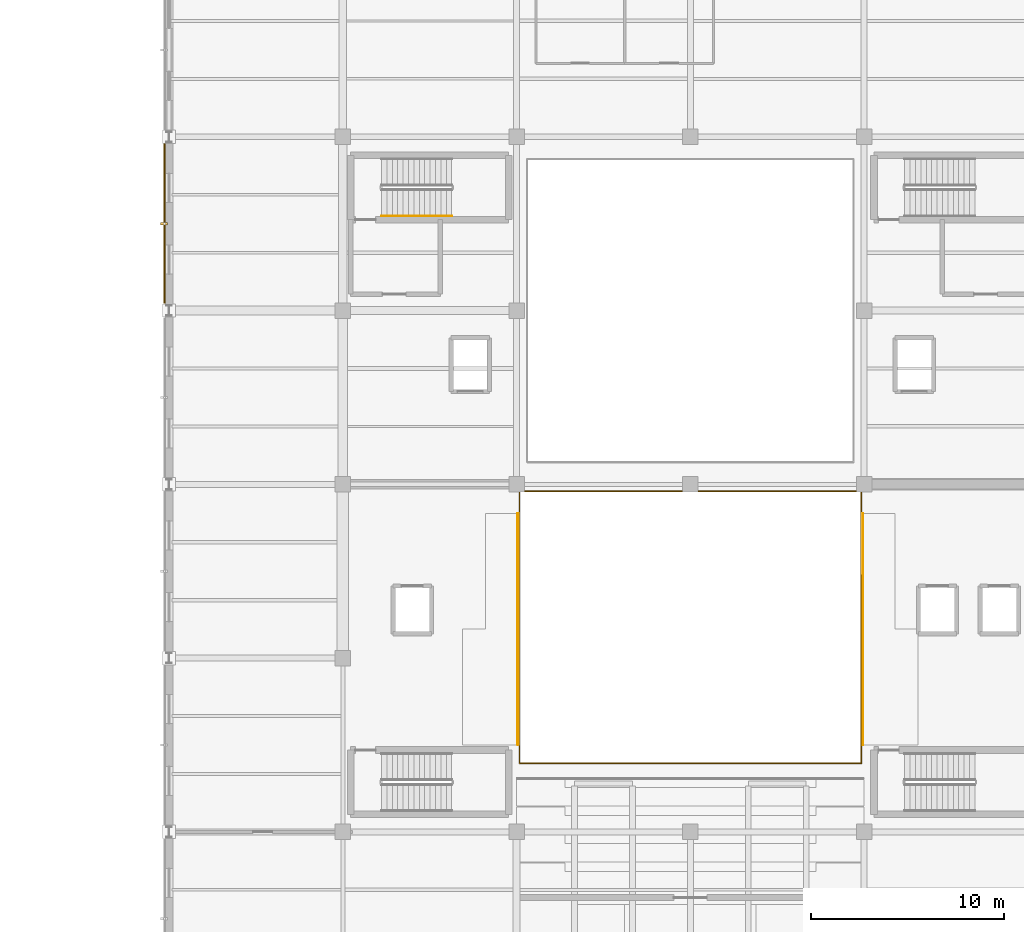
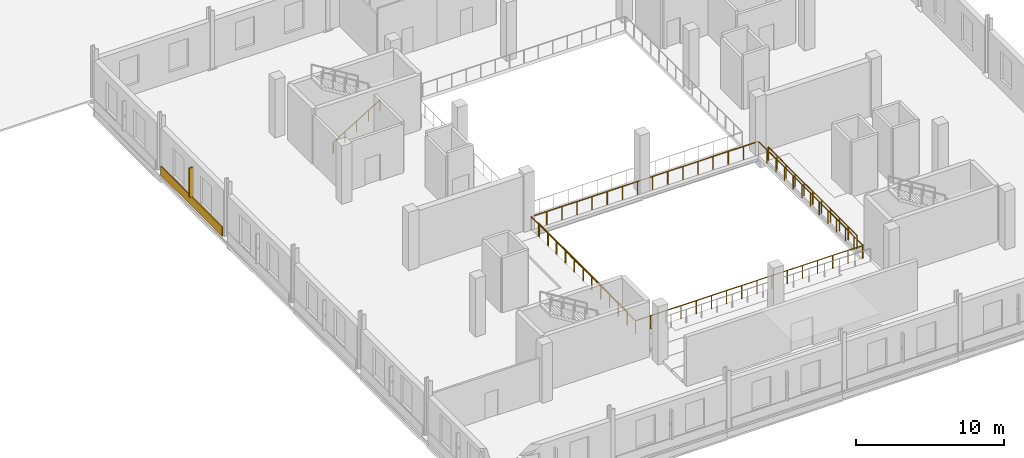
# One storey, part 31 of 35: 5 railings, 1 covering, 1 shading device.
"""IFC4 building model written with IfcOpenShell, lengths in metres."""

import ifcopenshell
import ifcopenshell.guid

model = None  # the IFC model being written
_history = None  # IfcOwnerHistory: only IFC2X3 demands one
_inside = {}  # id of a spatial element -> (the spatial element, [elements in it])
_under = {}  # id of a project, library or spatial element -> (it, [spatial elements below it])
_declared = {}  # id of a project -> (the project, [libraries it declares])
_typed = {}  # id of a type object -> (the type object, [elements of that type])
_made_of = {}  # id of a material, layer set ... -> (it, [elements and type objects made of it])


def new_model(schema):
    """Start an empty IFC model of exactly this schema.

    Asked for "IFC4X3", IfcOpenShell would pick the latest addendum, in which some entities
    have other attributes; the version numbers below select the first issue.
    IFC2X3 requires an IfcOwnerHistory on every rooted entity: one is made here for all.
    """
    global model, _history
    if schema == "IFC4X3":
        model = ifcopenshell.file(schema_version=(4, 3, 0, 0))
    else:
        model = ifcopenshell.file(schema=schema)
    _inside.clear()
    _under.clear()
    _declared.clear()
    _typed.clear()
    _made_of.clear()
    _history = None
    if model.schema == "IFC2X3":
        org = make("IfcOrganization", Name="unknown")
        user = make(
            "IfcPersonAndOrganization",
            ThePerson=make("IfcPerson", FamilyName="unknown"),
            TheOrganization=org,
        )
        app = make(
            "IfcApplication",
            ApplicationDeveloper=org,
            Version="unknown",
            ApplicationFullName="unknown",
            ApplicationIdentifier="unknown",
        )
        _history = make(
            "IfcOwnerHistory",
            OwningUser=user,
            OwningApplication=app,
            ChangeAction="ADDED",
            CreationDate=0,
        )
    return model


def make(cls, **values):
    """One entity of the class cls with the attributes given. An attribute that is None is left unset."""
    return model.create_entity(
        cls, **{name: value for name, value in values.items() if value is not None}
    )


def rooted(cls, **values):
    """An entity with a GlobalId (a new one), such as an element, a storey or a relation."""
    return make(cls, GlobalId=ifcopenshell.guid.new(), OwnerHistory=_history, **values)


def si_unit(unit_type, name, prefix=None):
    """IfcSIUnit, for example si_unit("LENGTHUNIT", "METRE", prefix="MILLI")."""
    return make("IfcSIUnit", UnitType=unit_type, Prefix=prefix, Name=name)


def assignment(units):
    """IfcUnitAssignment: the units of a project."""
    return None if units is None else make("IfcUnitAssignment", Units=units)


def point(xyz):
    """IfcCartesianPoint."""
    return None if xyz is None else make("IfcCartesianPoint", Coordinates=xyz)


def direction(xyz):
    """IfcDirection."""
    return None if xyz is None else make("IfcDirection", DirectionRatios=xyz)


def frame(location, z_axis=None, x_axis=None):
    """IfcAxis2Placement3D, a coordinate frame: its origin and axes. An axis left out is left unset."""
    return make(
        "IfcAxis2Placement3D",
        Location=point(location),
        Axis=direction(z_axis),
        RefDirection=direction(x_axis),
    )


def frame_2d(location, x_axis=None):
    """IfcAxis2Placement2D, a coordinate frame in the plane: its origin and x axis."""
    return make(
        "IfcAxis2Placement2D", Location=point(location), RefDirection=direction(x_axis)
    )


def origin():
    """The frame at (0, 0, 0) with its axes left unset."""
    return frame((0.0, 0.0, 0.0))


def origin_2d():
    """The frame at (0, 0) in the plane with its x axis left unset."""
    return frame_2d((0.0, 0.0))


def place(relative_to, where):
    """IfcLocalPlacement: puts the frame where relative to a parent placement (None: the world)."""
    return make(
        "IfcLocalPlacement", PlacementRelTo=relative_to, RelativePlacement=where
    )


def context(
    kind, dimensions, precision=None, world=None, true_north=None, identifier=None
):
    """IfcGeometricRepresentationContext, for example the 3D "Model" context."""
    return make(
        "IfcGeometricRepresentationContext",
        ContextIdentifier=identifier,
        ContextType=kind,
        CoordinateSpaceDimension=dimensions,
        Precision=precision,
        WorldCoordinateSystem=world,
        TrueNorth=true_north,
    )


def subcontext(parent, identifier, kind, view, scale=None):
    """IfcGeometricRepresentationSubContext, for example "Body" below "Model"."""
    return make(
        "IfcGeometricRepresentationSubContext",
        ContextIdentifier=identifier,
        ContextType=kind,
        ParentContext=parent,
        TargetScale=scale,
        TargetView=view,
    )


def project(units=None, contexts=None):
    """IfcProject with its units and contexts."""
    return rooted(
        "IfcProject",
        Name="project",
        RepresentationContexts=contexts,
        UnitsInContext=assignment(units),
    )


def spatial(cls, under=None, at=None, **own):
    """A site, building, storey or space (cls), placed at a placement, below another one or the project."""
    s = rooted(cls, ObjectPlacement=at, **own)
    if under is not None:
        _under.setdefault(under.id(), (under, []))[1].append(s)
    return s


def profile(cls, at=None, kind="AREA", **sizes):
    """A parametric profile (cls). Its sizes go by their IFC names, for example OverallWidth=200.0."""
    return make(cls, ProfileType=kind, Position=at, **sizes)


def rectangle(**sizes):
    """IfcRectangleProfileDef."""
    return profile("IfcRectangleProfileDef", **sizes)


def circle(**sizes):
    """IfcCircleProfileDef."""
    return profile("IfcCircleProfileDef", **sizes)


def extrude(swept, where, along, depth):
    """IfcExtrudedAreaSolid: the profile swept, set in the frame where, extruded along a direction by depth."""
    return make(
        "IfcExtrudedAreaSolid",
        SweptArea=swept,
        Position=where,
        ExtrudedDirection=direction(along),
        Depth=depth,
    )


def shape(context_of_items, identifier, shape_type, items):
    """IfcShapeRepresentation: the items that make up one representation, for example the "Body"."""
    return make(
        "IfcShapeRepresentation",
        ContextOfItems=context_of_items,
        RepresentationIdentifier=identifier,
        RepresentationType=shape_type,
        Items=items,
    )


def material(Name=None, Category=None):
    """IfcMaterial."""
    return make("IfcMaterial", Name=Name, Category=Category)


def layer(
    of_material, thickness, ventilated=None, Name=None, Category=None, Priority=None
):
    """IfcMaterialLayer: one layer of a wall or slab, of a material (None: an air gap)."""
    return make(
        "IfcMaterialLayer",
        Material=of_material,
        LayerThickness=thickness,
        IsVentilated=ventilated,
        Name=Name,
        Category=Category,
        Priority=Priority,
    )


def layer_set(layers, Name=None):
    """IfcMaterialLayerSet."""
    return make("IfcMaterialLayerSet", MaterialLayers=layers, LayerSetName=Name)


def made_of(thing, what):
    """Note that an element or type object is made of a material, layer set ...; save() writes the relation."""
    if what is not None:
        _made_of.setdefault(what.id(), (what, []))[1].append(thing)
    return thing


def type_object(cls, material=None, **own):
    """A type object (cls), such as IfcWallType, which elements share."""
    return made_of(rooted(cls, **own), material)


def element(
    cls,
    number,
    at=None,
    inside=None,
    cuts=None,
    type_object=None,
    material=None,
    context=None,
    identifier="Body",
    shape_type=None,
    held_by="IfcProductDefinitionShape",
    body=None,
    shapes=None,
    **own,
):
    """One element of the class cls, such as IfcWall. Its Tag is "e" and its number.

    at: its placement. inside: the storey or other place that contains it. cuts: it is an
    opening in that element (IfcRelVoidsElement). A single representation is given by context,
    identifier, shape_type and body (its items); several are given by shapes. held_by: the class
    of the entity that holds the representations. save() writes the other relations.
    """
    e = rooted(cls, Tag="e%d" % number, ObjectPlacement=at, **own)
    if body is not None:
        shapes = [shape(context, identifier, shape_type, body)]
    if shapes is not None:
        e.Representation = make(held_by, Representations=shapes)
    if inside is not None:
        _inside.setdefault(inside.id(), (inside, []))[1].append(e)
    if cuts is not None:
        rooted(
            "IfcRelVoidsElement", RelatingBuildingElement=cuts, RelatedOpeningElement=e
        )
    if type_object is not None:
        _typed.setdefault(type_object.id(), (type_object, []))[1].append(e)
    return made_of(e, material)


def aggregate(whole, parts):
    """IfcRelAggregates: a whole, such as a stair, and the parts it consists of."""
    return rooted("IfcRelAggregates", RelatingObject=whole, RelatedObjects=parts)


def save(model, path):
    """Write the relations noted so far, then the file.

    IfcRelAggregates (storeys below a building ...), IfcRelContainedInSpatialStructure (elements
    in a storey), IfcRelDefinesByType, IfcRelAssociatesMaterial and IfcRelDeclares: one each for
    every whole, place, type object, material and project.
    """
    for whole, parts in _under.values():
        aggregate(whole, parts)
    for where, things in _inside.values():
        rooted(
            "IfcRelContainedInSpatialStructure",
            RelatedElements=things,
            RelatingStructure=where,
        )
    for kind, things in _typed.values():
        rooted("IfcRelDefinesByType", RelatedObjects=things, RelatingType=kind)
    for what, things in _made_of.values():
        rooted("IfcRelAssociatesMaterial", RelatedObjects=things, RelatingMaterial=what)
    for by, libraries in _declared.values():
        rooted("IfcRelDeclares", RelatingContext=by, RelatedDefinitions=libraries)
    model.write(path)


model = new_model("IFC4")

# Units and contexts
model_context = context("Model", 3, precision=1e-05, world=origin(), true_north=direction((0.0, 1.0)))
body_context = subcontext(model_context, "Body", "Model", "MODEL_VIEW")
ifc_project = project(units=[si_unit("LENGTHUNIT", "METRE"), si_unit("AREAUNIT", "SQUARE_METRE"), si_unit("VOLUMEUNIT", "CUBIC_METRE"), si_unit("PLANEANGLEUNIT", "RADIAN"), si_unit("MASSUNIT", "GRAM", prefix="KILO")], contexts=[model_context])

# Site, building, storey
site_placement = place(None, origin())
site = spatial("IfcSite", under=ifc_project, at=site_placement, CompositionType="ELEMENT")
building_placement = place(site_placement, origin())
building = spatial("IfcBuilding", under=site, at=building_placement, Name="Sundgate Opera House", CompositionType="ELEMENT")
storey_placement = place(building_placement, frame((0.0, 0.0, 21.60009765625)))
storey = spatial("IfcBuildingStorey", under=building, at=storey_placement, Name="L04", CompositionType="ELEMENT", Elevation=21.60009765625)

# Covering
ifc_material_1 = material(Name="Deep-carved Komstad limestone relief panel", Category="masonry")
ifc_layer = layer(ifc_material_1, 0.094970703125)
ifc_layer_set = layer_set([ifc_layer], Name="Deep-carved Komstad limestone relief panel")
covering_type = type_object("IfcCoveringType", Name="CV-TRENC-DEEP", PredefinedType="CLADDING", material=ifc_layer_set)
covering_placement = place(storey_placement, frame((26.757568359375, 73.5, 0.044921875), z_axis=(0.0, 0.0, 1.0), x_axis=(0.0, 1.0, 0.0)))
element("IfcCovering", 1, at=covering_placement, inside=storey, type_object=covering_type, Name="L04 Trencadis 750mm Relief Band CV0069", PredefinedType="CLADDING", context=body_context, shape_type="SweptSolid", body=[
    extrude(rectangle(XDim=8.260009765625, YDim=0.074951171875, at=origin_2d()), origin(), (0.0, 0.0, 1.0), 0.75),
])

# Railings
ifc_material_2 = material(Name="Patinated bronze forja metalwork", Category="steel")
railing_type_1 = type_object("IfcRailingType", Name="RL-FORJA-BAL-1100", PredefinedType="BALUSTRADE", material=ifc_material_2)
railing_1_placement = place(storey_placement, frame((45.14990234375, 59.64990234375, 0.0)))
element("IfcRailing", 2, at=railing_1_placement, inside=storey, type_object=railing_type_1, Name="L04 Interior Guardrail RL0304", PredefinedType="BALUSTRADE", context=body_context, shape_type="SweptSolid", body=[
    extrude(circle(Radius=0.02392578125, at=origin_2d()), frame((0.0, 0.0, 1.076171875), z_axis=(0.0, -1.0, 0.0), x_axis=(1.0, 0.0, 0.0)), (0.0, 0.0, 1.0), 14.099853515625),
    extrude(circle(Radius=0.02392578125, at=origin_2d()), frame((0.0, -14.099853515625, 1.076171875), z_axis=(1.0, 0.0, 0.0), x_axis=(0.0, 1.0, 0.0)), (0.0, 0.0, 1.0), 17.7001953125),
    extrude(circle(Radius=0.02099609375, at=origin_2d()), origin(), (0.0, 0.0, 1.0), 1.052001953125),
    extrude(circle(Radius=0.02099609375, at=origin_2d()), frame((0.0, -1.175048828125, 0.0)), (0.0, 0.0, 1.0), 1.052001953125),
    extrude(circle(Radius=0.02099609375, at=origin_2d()), frame((0.0, -2.35009765625, 0.0)), (0.0, 0.0, 1.0), 1.052001953125),
    extrude(circle(Radius=0.02099609375, at=origin_2d()), frame((0.0, -3.52490234375, 0.0)), (0.0, 0.0, 1.0), 1.052001953125),
    extrude(circle(Radius=0.02099609375, at=origin_2d()), frame((0.0, -4.699951171875, 0.0)), (0.0, 0.0, 1.0), 1.052001953125),
    extrude(circle(Radius=0.02099609375, at=origin_2d()), frame((0.0, -5.875, 0.0)), (0.0, 0.0, 1.0), 1.052001953125),
    extrude(circle(Radius=0.02099609375, at=origin_2d()), frame((0.0, -7.0498046875, 0.0)), (0.0, 0.0, 1.0), 1.052001953125),
    extrude(circle(Radius=0.02099609375, at=origin_2d()), frame((0.0, -8.224853515625, 0.0)), (0.0, 0.0, 1.0), 1.052001953125),
    extrude(circle(Radius=0.02099609375, at=origin_2d()), frame((0.0, -9.39990234375, 0.0)), (0.0, 0.0, 1.0), 1.052001953125),
    extrude(circle(Radius=0.02099609375, at=origin_2d()), frame((0.0, -10.574951171875, 0.0)), (0.0, 0.0, 1.0), 1.052001953125),
    extrude(circle(Radius=0.02099609375, at=origin_2d()), frame((0.0, -11.75, 0.0)), (0.0, 0.0, 1.0), 1.052001953125),
    extrude(circle(Radius=0.02099609375, at=origin_2d()), frame((0.0, -12.9248046875, 0.0)), (0.0, 0.0, 1.0), 1.052001953125),
    extrude(circle(Radius=0.02099609375, at=origin_2d()), frame((0.0, -14.099853515625, 0.0)), (0.0, 0.0, 1.0), 1.052001953125),
    extrude(circle(Radius=0.02099609375, at=origin_2d()), frame((1.179931640625, -14.099853515625, 0.0)), (0.0, 0.0, 1.0), 1.052001953125),
    extrude(circle(Radius=0.02099609375, at=origin_2d()), frame((2.360107421875, -14.099853515625, 0.0)), (0.0, 0.0, 1.0), 1.052001953125),
    extrude(circle(Radius=0.02099609375, at=origin_2d()), frame((3.5400390625, -14.099853515625, 0.0)), (0.0, 0.0, 1.0), 1.052001953125),
    extrude(circle(Radius=0.02099609375, at=origin_2d()), frame((4.719970703125, -14.099853515625, 0.0)), (0.0, 0.0, 1.0), 1.052001953125),
    extrude(circle(Radius=0.02099609375, at=origin_2d()), frame((5.900146484375, -14.099853515625, 0.0)), (0.0, 0.0, 1.0), 1.052001953125),
    extrude(circle(Radius=0.02099609375, at=origin_2d()), frame((7.080078125, -14.099853515625, 0.0)), (0.0, 0.0, 1.0), 1.052001953125),
    extrude(circle(Radius=0.02099609375, at=origin_2d()), frame((8.260009765625, -14.099853515625, 0.0)), (0.0, 0.0, 1.0), 1.052001953125),
    extrude(circle(Radius=0.02099609375, at=origin_2d()), frame((9.440185546875, -14.099853515625, 0.0)), (0.0, 0.0, 1.0), 1.052001953125),
    extrude(circle(Radius=0.02099609375, at=origin_2d()), frame((10.6201171875, -14.099853515625, 0.0)), (0.0, 0.0, 1.0), 1.052001953125),
    extrude(circle(Radius=0.02099609375, at=origin_2d()), frame((11.800048828125, -14.099853515625, 0.0)), (0.0, 0.0, 1.0), 1.052001953125),
    extrude(circle(Radius=0.02099609375, at=origin_2d()), frame((12.980224609375, -14.099853515625, 0.0)), (0.0, 0.0, 1.0), 1.052001953125),
    extrude(circle(Radius=0.02099609375, at=origin_2d()), frame((14.16015625, -14.099853515625, 0.0)), (0.0, 0.0, 1.0), 1.052001953125),
    extrude(circle(Radius=0.02099609375, at=origin_2d()), frame((15.340087890625, -14.099853515625, 0.0)), (0.0, 0.0, 1.0), 1.052001953125),
    extrude(circle(Radius=0.02099609375, at=origin_2d()), frame((16.520263671875, -14.099853515625, 0.0)), (0.0, 0.0, 1.0), 1.052001953125),
    extrude(circle(Radius=0.02099609375, at=origin_2d()), frame((17.7001953125, -14.099853515625, 0.0)), (0.0, 0.0, 1.0), 1.052001953125),
])
railing_2_placement = place(storey_placement, frame((62.85009765625, 45.60009765625, 0.0)))
element("IfcRailing", 3, at=railing_2_placement, inside=storey, type_object=railing_type_1, Name="L04 Interior Guardrail RL0305", PredefinedType="BALUSTRADE", context=body_context, shape_type="SweptSolid", body=[
    extrude(circle(Radius=0.02392578125, at=origin_2d()), frame((0.0, 0.0, 1.076171875), z_axis=(0.0, 1.0, 0.0), x_axis=(-1.0, 0.0, 0.0)), (0.0, 0.0, 1.0), 14.0498046875),
    extrude(circle(Radius=0.02392578125, at=origin_2d()), frame((0.0, 14.0498046875, 1.076171875), z_axis=(-1.0, 0.0, 0.0), x_axis=(0.0, -1.0, 0.0)), (0.0, 0.0, 1.0), 17.650146484375),
    extrude(circle(Radius=0.02099609375, at=origin_2d()), origin(), (0.0, 0.0, 1.0), 1.052001953125),
    extrude(circle(Radius=0.02099609375, at=origin_2d()), frame((0.0, 1.1708984375, 0.0)), (0.0, 0.0, 1.0), 1.052001953125),
    extrude(circle(Radius=0.02099609375, at=origin_2d()), frame((0.0, 2.341552734375, 0.0)), (0.0, 0.0, 1.0), 1.052001953125),
    extrude(circle(Radius=0.02099609375, at=origin_2d()), frame((0.0, 3.512451171875, 0.0)), (0.0, 0.0, 1.0), 1.052001953125),
    extrude(circle(Radius=0.02099609375, at=origin_2d()), frame((0.0, 4.683349609375, 0.0)), (0.0, 0.0, 1.0), 1.052001953125),
    extrude(circle(Radius=0.02099609375, at=origin_2d()), frame((0.0, 5.85400390625, 0.0)), (0.0, 0.0, 1.0), 1.052001953125),
    extrude(circle(Radius=0.02099609375, at=origin_2d()), frame((0.0, 7.02490234375, 0.0)), (0.0, 0.0, 1.0), 1.052001953125),
    extrude(circle(Radius=0.02099609375, at=origin_2d()), frame((0.0, 8.19580078125, 0.0)), (0.0, 0.0, 1.0), 1.052001953125),
    extrude(circle(Radius=0.02099609375, at=origin_2d()), frame((0.0, 9.366455078125, 0.0)), (0.0, 0.0, 1.0), 1.052001953125),
    extrude(circle(Radius=0.02099609375, at=origin_2d()), frame((0.0, 10.537353515625, 0.0)), (0.0, 0.0, 1.0), 1.052001953125),
    extrude(circle(Radius=0.02099609375, at=origin_2d()), frame((0.0, 11.708251953125, 0.0)), (0.0, 0.0, 1.0), 1.052001953125),
    extrude(circle(Radius=0.02099609375, at=origin_2d()), frame((0.0, 12.87890625, 0.0)), (0.0, 0.0, 1.0), 1.052001953125),
    extrude(circle(Radius=0.02099609375, at=origin_2d()), frame((0.0, 14.0498046875, 0.0)), (0.0, 0.0, 1.0), 1.052001953125),
    extrude(circle(Radius=0.02099609375, at=origin_2d()), frame((-1.1767578125, 14.0498046875, 0.0)), (0.0, 0.0, 1.0), 1.052001953125),
    extrude(circle(Radius=0.02099609375, at=origin_2d()), frame((-2.353271484375, 14.0498046875, 0.0)), (0.0, 0.0, 1.0), 1.052001953125),
    extrude(circle(Radius=0.02099609375, at=origin_2d()), frame((-3.530029296875, 14.0498046875, 0.0)), (0.0, 0.0, 1.0), 1.052001953125),
    extrude(circle(Radius=0.02099609375, at=origin_2d()), frame((-4.706787109375, 14.0498046875, 0.0)), (0.0, 0.0, 1.0), 1.052001953125),
    extrude(circle(Radius=0.02099609375, at=origin_2d()), frame((-5.88330078125, 14.0498046875, 0.0)), (0.0, 0.0, 1.0), 1.052001953125),
    extrude(circle(Radius=0.02099609375, at=origin_2d()), frame((-7.06005859375, 14.0498046875, 0.0)), (0.0, 0.0, 1.0), 1.052001953125),
    extrude(circle(Radius=0.02099609375, at=origin_2d()), frame((-8.23681640625, 14.0498046875, 0.0)), (0.0, 0.0, 1.0), 1.052001953125),
    extrude(circle(Radius=0.02099609375, at=origin_2d()), frame((-9.413330078125, 14.0498046875, 0.0)), (0.0, 0.0, 1.0), 1.052001953125),
    extrude(circle(Radius=0.02099609375, at=origin_2d()), frame((-10.590087890625, 14.0498046875, 0.0)), (0.0, 0.0, 1.0), 1.052001953125),
    extrude(circle(Radius=0.02099609375, at=origin_2d()), frame((-11.766845703125, 14.0498046875, 0.0)), (0.0, 0.0, 1.0), 1.052001953125),
    extrude(circle(Radius=0.02099609375, at=origin_2d()), frame((-12.943359375, 14.0498046875, 0.0)), (0.0, 0.0, 1.0), 1.052001953125),
    extrude(circle(Radius=0.02099609375, at=origin_2d()), frame((-14.1201171875, 14.0498046875, 0.0)), (0.0, 0.0, 1.0), 1.052001953125),
    extrude(circle(Radius=0.02099609375, at=origin_2d()), frame((-15.296875, 14.0498046875, 0.0)), (0.0, 0.0, 1.0), 1.052001953125),
    extrude(circle(Radius=0.02099609375, at=origin_2d()), frame((-16.473388671875, 14.0498046875, 0.0)), (0.0, 0.0, 1.0), 1.052001953125),
    extrude(circle(Radius=0.02099609375, at=origin_2d()), frame((-17.650146484375, 14.0498046875, 0.0)), (0.0, 0.0, 1.0), 1.052001953125),
])
for number, where, name in (
    (4, (62.93994140625, 46.52001953125, 0.184814453125), "L04 East Opera Box Tier Balustrade RL0318"),
    (5, (45.06005859375, 46.52001953125, 0.204833984375), "L04 West Opera Box Tier Balustrade RL0321"),
):
    element("IfcRailing", number, at=place(storey_placement, frame(where)), inside=storey, type_object=railing_type_1, Name=name, PredefinedType="BALUSTRADE", context=body_context, shape_type="SweptSolid", body=[
        extrude(circle(Radius=0.02392578125, at=origin_2d()), frame((0.0, 0.0, 1.09619140625), z_axis=(0.0, 1.0, 0.0), x_axis=(-1.0, 0.0, 0.0)), (0.0, 0.0, 1.0), 11.9599609375),
        extrude(circle(Radius=0.02099609375, at=origin_2d()), origin(), (0.0, 0.0, 1.0), 1.072021484375),
        extrude(circle(Radius=0.02099609375, at=origin_2d()), frame((0.0, 1.196044921875, 0.0)), (0.0, 0.0, 1.0), 1.072021484375),
        extrude(circle(Radius=0.02099609375, at=origin_2d()), frame((0.0, 2.39208984375, 0.0)), (0.0, 0.0, 1.0), 1.072021484375),
        extrude(circle(Radius=0.02099609375, at=origin_2d()), frame((0.0, 3.587890625, 0.0)), (0.0, 0.0, 1.0), 1.072021484375),
        extrude(circle(Radius=0.02099609375, at=origin_2d()), frame((0.0, 4.783935546875, 0.0)), (0.0, 0.0, 1.0), 1.072021484375),
        extrude(circle(Radius=0.02099609375, at=origin_2d()), frame((0.0, 5.97998046875, 0.0)), (0.0, 0.0, 1.0), 1.072021484375),
        extrude(circle(Radius=0.02099609375, at=origin_2d()), frame((0.0, 7.176025390625, 0.0)), (0.0, 0.0, 1.0), 1.072021484375),
        extrude(circle(Radius=0.02099609375, at=origin_2d()), frame((0.0, 8.3720703125, 0.0)), (0.0, 0.0, 1.0), 1.072021484375),
        extrude(circle(Radius=0.02099609375, at=origin_2d()), frame((0.0, 9.56787109375, 0.0)), (0.0, 0.0, 1.0), 1.072021484375),
        extrude(circle(Radius=0.02099609375, at=origin_2d()), frame((0.0, 10.763916015625, 0.0)), (0.0, 0.0, 1.0), 1.072021484375),
        extrude(circle(Radius=0.02099609375, at=origin_2d()), frame((0.0, 11.9599609375, 0.0)), (0.0, 0.0, 1.0), 1.072021484375),
    ])
ifc_material_3 = material(Name="Brushed stainless steel handrail", Category="steel")
railing_type_2 = type_object("IfcRailingType", Name="RL-STAIR-HAND-900", PredefinedType="HANDRAIL", material=ifc_material_3)
railing_3_placement = place(storey_placement, frame((38.0, 73.89990234375, 0.17138671875)))
element("IfcRailing", 6, at=railing_3_placement, inside=storey, type_object=railing_type_2, Name="ST02L04 Handrail RL0081", PredefinedType="HANDRAIL", context=body_context, shape_type="SweptSolid", body=[
    extrude(circle(Radius=0.02392578125, at=origin_2d()), frame((0.0, 0.0, 0.8759765625), z_axis=(0.852850264322, 0.0, 0.5221555579), x_axis=(0.0, 1.0, 0.0)), (0.0, 0.0, 1.0), 4.267822265625),
    extrude(circle(Radius=0.02099609375, at=origin_2d()), origin(), (0.0, 0.0, 1.0), 0.851806640625),
    extrude(circle(Radius=0.02099609375, at=origin_2d()), frame((0.909912109375, 0.0, 0.55712890625)), (0.0, 0.0, 1.0), 0.851806640625),
    extrude(circle(Radius=0.02099609375, at=origin_2d()), frame((1.81982421875, 0.0, 1.1142578125)), (0.0, 0.0, 1.0), 0.851806640625),
    extrude(circle(Radius=0.02099609375, at=origin_2d()), frame((2.72998046875, 0.0, 1.67138671875)), (0.0, 0.0, 1.0), 0.851806640625),
    extrude(circle(Radius=0.02099609375, at=origin_2d()), frame((3.639892578125, 0.0, 2.228515625)), (0.0, 0.0, 1.0), 0.851806640625),
])

# Shading device
ifc_material_4 = material(Name="Frost-proof vitrified stoneware ceramic fin", Category="masonry")
shading_device_type = type_object("IfcShadingDeviceType", Name="SD-CERAMIC-FIN", PredefinedType="JALOUSIE", material=ifc_material_4)
shading_device_placement = place(storey_placement, frame((26.735107421875, 73.5, 0.800048828125), z_axis=(0.0, 0.0, 1.0), x_axis=(1.0, 0.0, 0.0)))
element("IfcShadingDevice", 7, at=shading_device_placement, inside=storey, type_object=shading_device_type, Name="L04 Ceramic Brise-Soleil Fin SD0027", PredefinedType="JALOUSIE", context=body_context, shape_type="SweptSolid", body=[
    extrude(rectangle(XDim=0.35009765625, YDim=0.1201171875, at=origin_2d()), origin(), (0.0, 0.0, 1.0), 2.39990234375),
])

save(model, "model.ifc")
